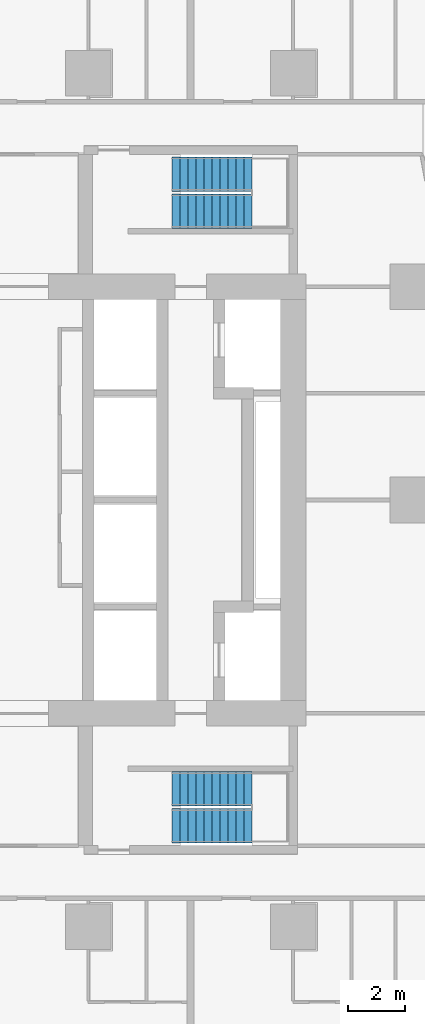
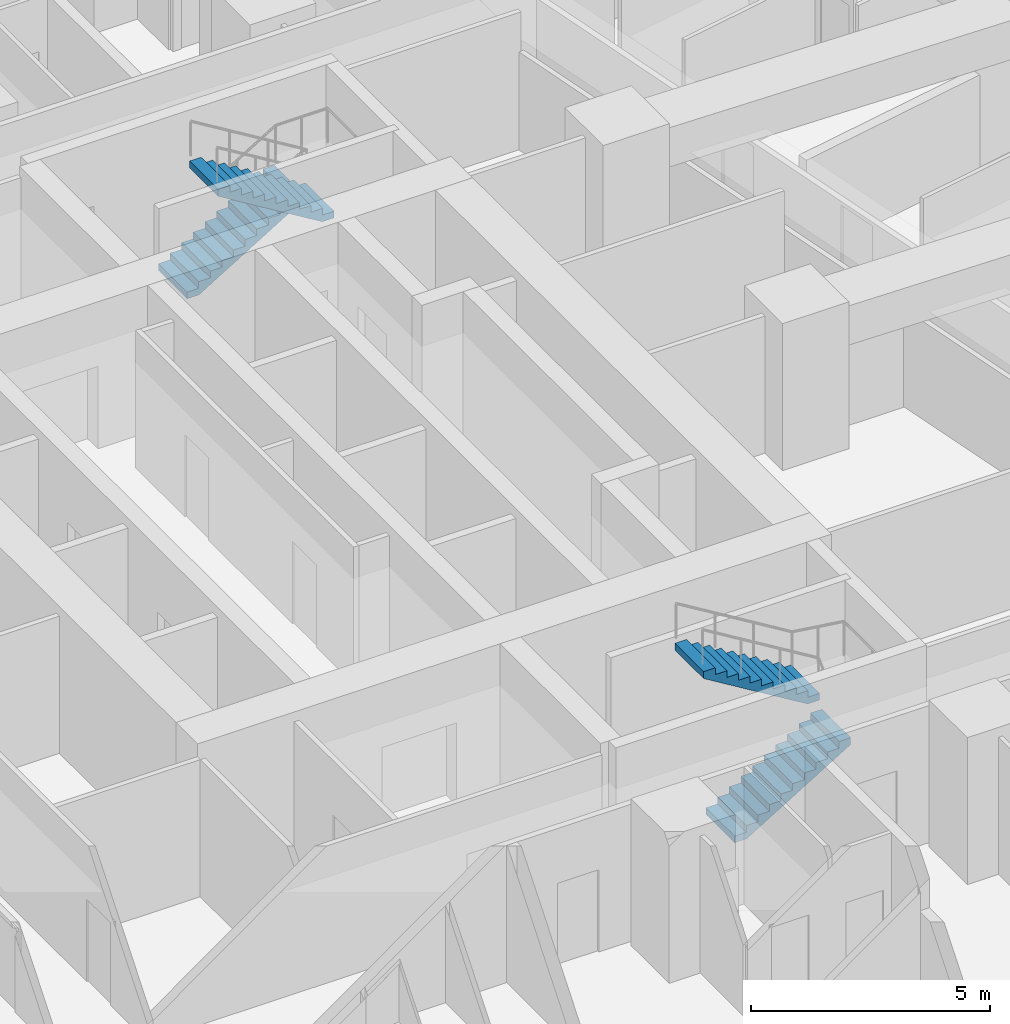
# One storey, part 13 of 16: 4 stair flights, 2 elements without a shape of their own.
"""IFC4 building model written with IfcOpenShell, lengths in metres."""

from ifc_helpers import new_model, si_unit, direction, frame, origin, place, context, subcontext, project, spatial, triangles, material, type_object, element, aggregate, save


model = new_model("IFC4")

# Units and contexts
model_context = context("Model", 3, precision=1e-05, world=origin(), true_north=direction((0.0, 1.0)))
body_context = subcontext(model_context, "Body", "Model", "MODEL_VIEW")
ifc_project = project(units=[si_unit("LENGTHUNIT", "METRE"), si_unit("AREAUNIT", "SQUARE_METRE"), si_unit("VOLUMEUNIT", "CUBIC_METRE"), si_unit("PLANEANGLEUNIT", "RADIAN"), si_unit("MASSUNIT", "GRAM", prefix="KILO")], contexts=[model_context])

# Site, building, storey
site_placement = place(None, origin())
site = spatial("IfcSite", under=ifc_project, at=site_placement, CompositionType="ELEMENT")
building_placement = place(site_placement, origin())
building = spatial("IfcBuilding", under=site, at=building_placement, Name="Sheger Commons Tower", CompositionType="ELEMENT")
storey_placement = place(building_placement, frame((0.0, 0.0, 96.64990234375)))
storey = spatial("IfcBuildingStorey", under=building, at=storey_placement, Name="L24", CompositionType="ELEMENT", Elevation=96.64990234375)

# Stair, stair flights
ifc_material_1 = material(Name="Concrete C35/45", Category="concrete")
stair_type = type_object("IfcStairType", Name="HALF-TURN STAIR 1200 RISE 3750", PredefinedType="HALF_TURN_STAIR", material=ifc_material_1)
stair_1_placement = place(storey_placement, origin())
stair_1 = element("IfcStair", 1, at=stair_1_placement, inside=storey, type_object=stair_type, Name="Stair S1 L24", PredefinedType="HALF_TURN_STAIR")
ifc_material_2 = material(Name="Concrete C35/45", Category="concrete")
stair_flight_type = type_object("IfcStairFlightType", Name="STAIR FLIGHT 1200 11 RISERS OF 170", PredefinedType="STRAIGHT", material=ifc_material_2)
stair_flight_1_placement = place(storey_placement, frame((24.550048828125, 11.050048828125, 0.0), z_axis=(0.0, 0.0, 1.0), x_axis=(1.0, 0.0, 0.0)))
stair_flight_1 = element("IfcStairFlight", 2, at=stair_flight_1_placement, type_object=stair_flight_type, Name="S1 flight 1", NumberOfRisers=11, NumberOfTreads=10, PredefinedType="STRAIGHT", RiserHeight=0.170454545, TreadLength=0.28, context=body_context, shape_type="Tessellation", body=[
    triangles([(0.0, 0.5999755859375, 0.0), (0.0, 0.5999755859375, 0.17041015625), (0.280029296875, 0.5999755859375, 0.17041015625), (0.280029296875, 0.5999755859375, 0.3408203125), (0.56005859375, 0.5999755859375, 0.3408203125), (0.56005859375, 0.5999755859375, 0.511474609375), (0.840087890625, 0.5999755859375, 0.511474609375), (0.840087890625, 0.5999755859375, 0.681884765625), (1.1201171875, 0.5999755859375, 0.681884765625), (1.1201171875, 0.5999755859375, 0.852294921875), (1.39990234375, 0.5999755859375, 0.852294921875), (1.39990234375, 0.5999755859375, 1.022705078125), (1.679931640625, 0.5999755859375, 1.022705078125), (1.679931640625, 0.5999755859375, 1.193115234375), (1.9599609375, 0.5999755859375, 1.193115234375), (1.9599609375, 0.5999755859375, 1.363525390625), (2.239990234375, 0.5999755859375, 1.363525390625), (2.239990234375, 0.5999755859375, 1.5341796875), (2.52001953125, 0.5999755859375, 1.5341796875), (2.52001953125, 0.5999755859375, 1.70458984375), (2.800048828125, 0.5999755859375, 1.70458984375), (2.800048828125, 0.5999755859375, 1.529052734375), (0.288330078125, 0.5999755859375, 0.0), (0.0, -0.5999755859375, 0.0), (0.0, -0.5999755859375, 0.17041015625), (0.280029296875, -0.5999755859375, 0.17041015625), (0.280029296875, -0.5999755859375, 0.3408203125), (0.56005859375, -0.5999755859375, 0.3408203125), (0.56005859375, -0.5999755859375, 0.511474609375), (0.840087890625, -0.5999755859375, 0.511474609375), (0.840087890625, -0.5999755859375, 0.681884765625), (1.1201171875, -0.5999755859375, 0.681884765625), (1.1201171875, -0.5999755859375, 0.852294921875), (1.39990234375, -0.5999755859375, 0.852294921875), (1.39990234375, -0.5999755859375, 1.022705078125), (1.679931640625, -0.5999755859375, 1.022705078125), (1.679931640625, -0.5999755859375, 1.193115234375), (1.9599609375, -0.5999755859375, 1.193115234375), (1.9599609375, -0.5999755859375, 1.363525390625), (2.239990234375, -0.5999755859375, 1.363525390625), (2.239990234375, -0.5999755859375, 1.5341796875), (2.52001953125, -0.5999755859375, 1.5341796875), (2.52001953125, -0.5999755859375, 1.70458984375), (2.800048828125, -0.5999755859375, 1.70458984375), (2.800048828125, -0.5999755859375, 1.529052734375), (0.288330078125, -0.5999755859375, 0.0), (0.0, 0.0, 0.085205078125), (0.1400146484375, 0.0, 0.17041015625), (0.280029296875, 0.0, 0.255615234375), (0.4200439453125, 0.0, 0.3408203125), (0.56005859375, 0.0, 0.4261474609375), (0.7000732421875, 0.0, 0.511474609375), (0.840087890625, 0.0, 0.5966796875), (0.9801025390625, 0.0, 0.681884765625), (1.1201171875, 0.0, 0.76708984375), (1.260009765625, 0.0, 0.852294921875), (1.39990234375, 0.0, 0.9375), (1.5399169921875, 0.0, 1.022705078125), (1.679931640625, 0.0, 1.10791015625), (1.8199462890625, 0.0, 1.193115234375), (1.9599609375, 0.0, 1.2783203125), (2.0999755859375, 0.0, 1.363525390625), (2.239990234375, 0.0, 1.4488525390625), (2.3800048828125, 0.0, 1.5341796875), (2.52001953125, 0.0, 1.619384765625), (2.6600341796875, 0.0, 1.70458984375), (2.800048828125, 0.0, 1.6168212890625), (1.544189453125, 0.0, 0.7645263671875), (0.1441650390625, 0.0, 0.0)], [[1, 22, 23], [24, 46, 45], [22, 20, 21], [45, 44, 43], [22, 19, 20], [45, 43, 42], [22, 18, 19], [45, 42, 41], [22, 17, 18], [45, 41, 40], [17, 15, 16], [40, 39, 38], [22, 15, 17], [45, 40, 38], [15, 13, 14], [38, 37, 36], [22, 13, 15], [45, 38, 36], [13, 11, 12], [36, 35, 34], [22, 11, 13], [45, 36, 34], [11, 9, 10], [34, 33, 32], [22, 9, 11], [45, 34, 32], [9, 7, 8], [32, 31, 30], [22, 7, 9], [45, 32, 30], [7, 5, 6], [30, 29, 28], [22, 5, 7], [45, 30, 28], [5, 3, 4], [28, 27, 26], [22, 3, 5], [45, 28, 26], [1, 3, 22], [24, 45, 26], [3, 1, 2], [26, 25, 24], [1, 47, 2], [2, 47, 25], [25, 47, 24], [24, 47, 1], [2, 48, 3], [3, 48, 26], [26, 48, 25], [25, 48, 2], [3, 49, 4], [4, 49, 27], [27, 49, 26], [26, 49, 3], [4, 50, 5], [5, 50, 28], [28, 50, 27], [27, 50, 4], [5, 51, 6], [6, 51, 29], [29, 51, 28], [28, 51, 5], [6, 52, 7], [7, 52, 30], [30, 52, 29], [29, 52, 6], [7, 53, 8], [8, 53, 31], [31, 53, 30], [30, 53, 7], [8, 54, 9], [9, 54, 32], [32, 54, 31], [31, 54, 8], [9, 55, 10], [10, 55, 33], [33, 55, 32], [32, 55, 9], [10, 56, 11], [11, 56, 34], [34, 56, 33], [33, 56, 10], [11, 57, 12], [12, 57, 35], [35, 57, 34], [34, 57, 11], [12, 58, 13], [13, 58, 36], [36, 58, 35], [35, 58, 12], [13, 59, 14], [14, 59, 37], [37, 59, 36], [36, 59, 13], [14, 60, 15], [15, 60, 38], [38, 60, 37], [37, 60, 14], [15, 61, 16], [16, 61, 39], [39, 61, 38], [38, 61, 15], [16, 62, 17], [17, 62, 40], [40, 62, 39], [39, 62, 16], [17, 63, 18], [18, 63, 41], [41, 63, 40], [40, 63, 17], [18, 64, 19], [19, 64, 42], [42, 64, 41], [41, 64, 18], [19, 65, 20], [20, 65, 43], [43, 65, 42], [42, 65, 19], [20, 66, 21], [21, 66, 44], [44, 66, 43], [43, 66, 20], [21, 67, 22], [22, 67, 45], [45, 67, 44], [44, 67, 21], [22, 68, 23], [23, 68, 46], [46, 68, 45], [45, 68, 22], [23, 69, 1], [1, 69, 24], [24, 69, 46], [46, 69, 23]], closed=True),
])
stair_flight_2_placement = place(storey_placement, frame((27.35009765625, 12.35009765625, 1.875), z_axis=(0.0, 0.0, 1.0), x_axis=(-1.0, 0.0, 0.0)))
stair_flight_2 = element("IfcStairFlight", 3, at=stair_flight_2_placement, type_object=stair_flight_type, Name="S1 flight 2", NumberOfRisers=11, NumberOfTreads=10, PredefinedType="STRAIGHT", RiserHeight=0.170454545, TreadLength=0.28, context=body_context, shape_type="Tessellation", body=[
    triangles([(0.0, 0.5999755859375, 0.0), (0.0, 0.5999755859375, 0.17041015625), (0.280029296875, 0.5999755859375, 0.17041015625), (0.280029296875, 0.5999755859375, 0.3408203125), (0.56005859375, 0.5999755859375, 0.3408203125), (0.56005859375, 0.5999755859375, 0.511474609375), (0.840087890625, 0.5999755859375, 0.511474609375), (0.840087890625, 0.5999755859375, 0.681884765625), (1.1201171875, 0.5999755859375, 0.681884765625), (1.1201171875, 0.5999755859375, 0.852294921875), (1.39990234375, 0.5999755859375, 0.852294921875), (1.39990234375, 0.5999755859375, 1.022705078125), (1.679931640625, 0.5999755859375, 1.022705078125), (1.679931640625, 0.5999755859375, 1.193115234375), (1.9599609375, 0.5999755859375, 1.193115234375), (1.9599609375, 0.5999755859375, 1.363525390625), (2.239990234375, 0.5999755859375, 1.363525390625), (2.239990234375, 0.5999755859375, 1.5341796875), (2.52001953125, 0.5999755859375, 1.5341796875), (2.52001953125, 0.5999755859375, 1.70458984375), (2.800048828125, 0.5999755859375, 1.70458984375), (2.800048828125, 0.5999755859375, 1.529052734375), (0.288330078125, 0.5999755859375, 0.0), (0.0, -0.5999755859375, 0.0), (0.0, -0.5999755859375, 0.17041015625), (0.280029296875, -0.5999755859375, 0.17041015625), (0.280029296875, -0.5999755859375, 0.3408203125), (0.56005859375, -0.5999755859375, 0.3408203125), (0.56005859375, -0.5999755859375, 0.511474609375), (0.840087890625, -0.5999755859375, 0.511474609375), (0.840087890625, -0.5999755859375, 0.681884765625), (1.1201171875, -0.5999755859375, 0.681884765625), (1.1201171875, -0.5999755859375, 0.852294921875), (1.39990234375, -0.5999755859375, 0.852294921875), (1.39990234375, -0.5999755859375, 1.022705078125), (1.679931640625, -0.5999755859375, 1.022705078125), (1.679931640625, -0.5999755859375, 1.193115234375), (1.9599609375, -0.5999755859375, 1.193115234375), (1.9599609375, -0.5999755859375, 1.363525390625), (2.239990234375, -0.5999755859375, 1.363525390625), (2.239990234375, -0.5999755859375, 1.5341796875), (2.52001953125, -0.5999755859375, 1.5341796875), (2.52001953125, -0.5999755859375, 1.70458984375), (2.800048828125, -0.5999755859375, 1.70458984375), (2.800048828125, -0.5999755859375, 1.529052734375), (0.288330078125, -0.5999755859375, 0.0), (0.0, 0.0, 0.085205078125), (0.1400146484375, 0.0, 0.17041015625), (0.280029296875, 0.0, 0.255615234375), (0.4200439453125, 0.0, 0.3408203125), (0.56005859375, 0.0, 0.4261474609375), (0.7000732421875, 0.0, 0.511474609375), (0.840087890625, 0.0, 0.5966796875), (0.9801025390625, 0.0, 0.681884765625), (1.1201171875, 0.0, 0.76708984375), (1.260009765625, 0.0, 0.852294921875), (1.39990234375, 0.0, 0.9375), (1.5399169921875, 0.0, 1.022705078125), (1.679931640625, 0.0, 1.10791015625), (1.8199462890625, 0.0, 1.193115234375), (1.9599609375, 0.0, 1.2783203125), (2.0999755859375, 0.0, 1.363525390625), (2.239990234375, 0.0, 1.4488525390625), (2.3800048828125, 0.0, 1.5341796875), (2.52001953125, 0.0, 1.619384765625), (2.6600341796875, 0.0, 1.70458984375), (2.800048828125, 0.0, 1.6168212890625), (1.544189453125, 0.0, 0.7645263671875), (0.1441650390625, 0.0, 0.0)], [[1, 22, 23], [24, 46, 45], [22, 20, 21], [45, 44, 43], [22, 19, 20], [45, 43, 42], [22, 18, 19], [45, 42, 41], [22, 17, 18], [45, 41, 40], [17, 15, 16], [40, 39, 38], [22, 15, 17], [45, 40, 38], [15, 13, 14], [38, 37, 36], [22, 13, 15], [45, 38, 36], [13, 11, 12], [36, 35, 34], [22, 11, 13], [45, 36, 34], [11, 9, 10], [34, 33, 32], [22, 9, 11], [45, 34, 32], [9, 7, 8], [32, 31, 30], [22, 7, 9], [45, 32, 30], [7, 5, 6], [30, 29, 28], [22, 5, 7], [45, 30, 28], [5, 3, 4], [28, 27, 26], [22, 3, 5], [45, 28, 26], [1, 3, 22], [24, 45, 26], [3, 1, 2], [26, 25, 24], [1, 47, 2], [2, 47, 25], [25, 47, 24], [24, 47, 1], [2, 48, 3], [3, 48, 26], [26, 48, 25], [25, 48, 2], [3, 49, 4], [4, 49, 27], [27, 49, 26], [26, 49, 3], [4, 50, 5], [5, 50, 28], [28, 50, 27], [27, 50, 4], [5, 51, 6], [6, 51, 29], [29, 51, 28], [28, 51, 5], [6, 52, 7], [7, 52, 30], [30, 52, 29], [29, 52, 6], [7, 53, 8], [8, 53, 31], [31, 53, 30], [30, 53, 7], [8, 54, 9], [9, 54, 32], [32, 54, 31], [31, 54, 8], [9, 55, 10], [10, 55, 33], [33, 55, 32], [32, 55, 9], [10, 56, 11], [11, 56, 34], [34, 56, 33], [33, 56, 10], [11, 57, 12], [12, 57, 35], [35, 57, 34], [34, 57, 11], [12, 58, 13], [13, 58, 36], [36, 58, 35], [35, 58, 12], [13, 59, 14], [14, 59, 37], [37, 59, 36], [36, 59, 13], [14, 60, 15], [15, 60, 38], [38, 60, 37], [37, 60, 14], [15, 61, 16], [16, 61, 39], [39, 61, 38], [38, 61, 15], [16, 62, 17], [17, 62, 40], [40, 62, 39], [39, 62, 16], [17, 63, 18], [18, 63, 41], [41, 63, 40], [40, 63, 17], [18, 64, 19], [19, 64, 42], [42, 64, 41], [41, 64, 18], [19, 65, 20], [20, 65, 43], [43, 65, 42], [42, 65, 19], [20, 66, 21], [21, 66, 44], [44, 66, 43], [43, 66, 20], [21, 67, 22], [22, 67, 45], [45, 67, 44], [44, 67, 21], [22, 68, 23], [23, 68, 46], [46, 68, 45], [45, 68, 22], [23, 69, 1], [1, 69, 24], [24, 69, 46], [46, 69, 23]], closed=True),
])
aggregate(stair_1, [stair_flight_1, stair_flight_2])

stair_2_placement = place(storey_placement, origin())
stair_2 = element("IfcStair", 4, at=stair_2_placement, inside=storey, type_object=stair_type, Name="Stair S2 L24", PredefinedType="HALF_TURN_STAIR")
stair_flight_3_placement = place(storey_placement, frame((24.550048828125, 33.949951171875, 0.0), z_axis=(0.0, 0.0, 1.0), x_axis=(1.0, 0.0, 0.0)))
stair_flight_3 = element("IfcStairFlight", 5, at=stair_flight_3_placement, type_object=stair_flight_type, Name="S2 flight 1", NumberOfRisers=11, NumberOfTreads=10, PredefinedType="STRAIGHT", RiserHeight=0.170454545, TreadLength=0.28, context=body_context, shape_type="Tessellation", body=[
    triangles([(0.0, 0.5999755859375, 0.0), (0.0, 0.5999755859375, 0.17041015625), (0.280029296875, 0.5999755859375, 0.17041015625), (0.280029296875, 0.5999755859375, 0.3408203125), (0.56005859375, 0.5999755859375, 0.3408203125), (0.56005859375, 0.5999755859375, 0.511474609375), (0.840087890625, 0.5999755859375, 0.511474609375), (0.840087890625, 0.5999755859375, 0.681884765625), (1.1201171875, 0.5999755859375, 0.681884765625), (1.1201171875, 0.5999755859375, 0.852294921875), (1.39990234375, 0.5999755859375, 0.852294921875), (1.39990234375, 0.5999755859375, 1.022705078125), (1.679931640625, 0.5999755859375, 1.022705078125), (1.679931640625, 0.5999755859375, 1.193115234375), (1.9599609375, 0.5999755859375, 1.193115234375), (1.9599609375, 0.5999755859375, 1.363525390625), (2.239990234375, 0.5999755859375, 1.363525390625), (2.239990234375, 0.5999755859375, 1.5341796875), (2.52001953125, 0.5999755859375, 1.5341796875), (2.52001953125, 0.5999755859375, 1.70458984375), (2.800048828125, 0.5999755859375, 1.70458984375), (2.800048828125, 0.5999755859375, 1.529052734375), (0.288330078125, 0.5999755859375, 0.0), (0.0, -0.5999755859375, 0.0), (0.0, -0.5999755859375, 0.17041015625), (0.280029296875, -0.5999755859375, 0.17041015625), (0.280029296875, -0.5999755859375, 0.3408203125), (0.56005859375, -0.5999755859375, 0.3408203125), (0.56005859375, -0.5999755859375, 0.511474609375), (0.840087890625, -0.5999755859375, 0.511474609375), (0.840087890625, -0.5999755859375, 0.681884765625), (1.1201171875, -0.5999755859375, 0.681884765625), (1.1201171875, -0.5999755859375, 0.852294921875), (1.39990234375, -0.5999755859375, 0.852294921875), (1.39990234375, -0.5999755859375, 1.022705078125), (1.679931640625, -0.5999755859375, 1.022705078125), (1.679931640625, -0.5999755859375, 1.193115234375), (1.9599609375, -0.5999755859375, 1.193115234375), (1.9599609375, -0.5999755859375, 1.363525390625), (2.239990234375, -0.5999755859375, 1.363525390625), (2.239990234375, -0.5999755859375, 1.5341796875), (2.52001953125, -0.5999755859375, 1.5341796875), (2.52001953125, -0.5999755859375, 1.70458984375), (2.800048828125, -0.5999755859375, 1.70458984375), (2.800048828125, -0.5999755859375, 1.529052734375), (0.288330078125, -0.5999755859375, 0.0), (0.0, 0.0, 0.085205078125), (0.1400146484375, 0.0, 0.17041015625), (0.280029296875, 0.0, 0.255615234375), (0.4200439453125, 0.0, 0.3408203125), (0.56005859375, 0.0, 0.4261474609375), (0.7000732421875, 0.0, 0.511474609375), (0.840087890625, 0.0, 0.5966796875), (0.9801025390625, 0.0, 0.681884765625), (1.1201171875, 0.0, 0.76708984375), (1.260009765625, 0.0, 0.852294921875), (1.39990234375, 0.0, 0.9375), (1.5399169921875, 0.0, 1.022705078125), (1.679931640625, 0.0, 1.10791015625), (1.8199462890625, 0.0, 1.193115234375), (1.9599609375, 0.0, 1.2783203125), (2.0999755859375, 0.0, 1.363525390625), (2.239990234375, 0.0, 1.4488525390625), (2.3800048828125, 0.0, 1.5341796875), (2.52001953125, 0.0, 1.619384765625), (2.6600341796875, 0.0, 1.70458984375), (2.800048828125, 0.0, 1.6168212890625), (1.544189453125, 0.0, 0.7645263671875), (0.1441650390625, 0.0, 0.0)], [[1, 22, 23], [24, 46, 45], [22, 20, 21], [45, 44, 43], [22, 19, 20], [45, 43, 42], [22, 18, 19], [45, 42, 41], [22, 17, 18], [45, 41, 40], [17, 15, 16], [40, 39, 38], [22, 15, 17], [45, 40, 38], [15, 13, 14], [38, 37, 36], [22, 13, 15], [45, 38, 36], [13, 11, 12], [36, 35, 34], [22, 11, 13], [45, 36, 34], [11, 9, 10], [34, 33, 32], [22, 9, 11], [45, 34, 32], [9, 7, 8], [32, 31, 30], [22, 7, 9], [45, 32, 30], [7, 5, 6], [30, 29, 28], [22, 5, 7], [45, 30, 28], [5, 3, 4], [28, 27, 26], [22, 3, 5], [45, 28, 26], [1, 3, 22], [24, 45, 26], [3, 1, 2], [26, 25, 24], [1, 47, 2], [2, 47, 25], [25, 47, 24], [24, 47, 1], [2, 48, 3], [3, 48, 26], [26, 48, 25], [25, 48, 2], [3, 49, 4], [4, 49, 27], [27, 49, 26], [26, 49, 3], [4, 50, 5], [5, 50, 28], [28, 50, 27], [27, 50, 4], [5, 51, 6], [6, 51, 29], [29, 51, 28], [28, 51, 5], [6, 52, 7], [7, 52, 30], [30, 52, 29], [29, 52, 6], [7, 53, 8], [8, 53, 31], [31, 53, 30], [30, 53, 7], [8, 54, 9], [9, 54, 32], [32, 54, 31], [31, 54, 8], [9, 55, 10], [10, 55, 33], [33, 55, 32], [32, 55, 9], [10, 56, 11], [11, 56, 34], [34, 56, 33], [33, 56, 10], [11, 57, 12], [12, 57, 35], [35, 57, 34], [34, 57, 11], [12, 58, 13], [13, 58, 36], [36, 58, 35], [35, 58, 12], [13, 59, 14], [14, 59, 37], [37, 59, 36], [36, 59, 13], [14, 60, 15], [15, 60, 38], [38, 60, 37], [37, 60, 14], [15, 61, 16], [16, 61, 39], [39, 61, 38], [38, 61, 15], [16, 62, 17], [17, 62, 40], [40, 62, 39], [39, 62, 16], [17, 63, 18], [18, 63, 41], [41, 63, 40], [40, 63, 17], [18, 64, 19], [19, 64, 42], [42, 64, 41], [41, 64, 18], [19, 65, 20], [20, 65, 43], [43, 65, 42], [42, 65, 19], [20, 66, 21], [21, 66, 44], [44, 66, 43], [43, 66, 20], [21, 67, 22], [22, 67, 45], [45, 67, 44], [44, 67, 21], [22, 68, 23], [23, 68, 46], [46, 68, 45], [45, 68, 22], [23, 69, 1], [1, 69, 24], [24, 69, 46], [46, 69, 23]], closed=True),
])
stair_flight_4_placement = place(storey_placement, frame((27.35009765625, 32.64990234375, 1.875), z_axis=(0.0, 0.0, 1.0), x_axis=(-1.0, 0.0, 0.0)))
stair_flight_4 = element("IfcStairFlight", 6, at=stair_flight_4_placement, type_object=stair_flight_type, Name="S2 flight 2", NumberOfRisers=11, NumberOfTreads=10, PredefinedType="STRAIGHT", RiserHeight=0.170454545, TreadLength=0.28, context=body_context, shape_type="Tessellation", body=[
    triangles([(0.0, 0.5999755859375, 0.0), (0.0, 0.5999755859375, 0.17041015625), (0.280029296875, 0.5999755859375, 0.17041015625), (0.280029296875, 0.5999755859375, 0.3408203125), (0.56005859375, 0.5999755859375, 0.3408203125), (0.56005859375, 0.5999755859375, 0.511474609375), (0.840087890625, 0.5999755859375, 0.511474609375), (0.840087890625, 0.5999755859375, 0.681884765625), (1.1201171875, 0.5999755859375, 0.681884765625), (1.1201171875, 0.5999755859375, 0.852294921875), (1.39990234375, 0.5999755859375, 0.852294921875), (1.39990234375, 0.5999755859375, 1.022705078125), (1.679931640625, 0.5999755859375, 1.022705078125), (1.679931640625, 0.5999755859375, 1.193115234375), (1.9599609375, 0.5999755859375, 1.193115234375), (1.9599609375, 0.5999755859375, 1.363525390625), (2.239990234375, 0.5999755859375, 1.363525390625), (2.239990234375, 0.5999755859375, 1.5341796875), (2.52001953125, 0.5999755859375, 1.5341796875), (2.52001953125, 0.5999755859375, 1.70458984375), (2.800048828125, 0.5999755859375, 1.70458984375), (2.800048828125, 0.5999755859375, 1.529052734375), (0.288330078125, 0.5999755859375, 0.0), (0.0, -0.5999755859375, 0.0), (0.0, -0.5999755859375, 0.17041015625), (0.280029296875, -0.5999755859375, 0.17041015625), (0.280029296875, -0.5999755859375, 0.3408203125), (0.56005859375, -0.5999755859375, 0.3408203125), (0.56005859375, -0.5999755859375, 0.511474609375), (0.840087890625, -0.5999755859375, 0.511474609375), (0.840087890625, -0.5999755859375, 0.681884765625), (1.1201171875, -0.5999755859375, 0.681884765625), (1.1201171875, -0.5999755859375, 0.852294921875), (1.39990234375, -0.5999755859375, 0.852294921875), (1.39990234375, -0.5999755859375, 1.022705078125), (1.679931640625, -0.5999755859375, 1.022705078125), (1.679931640625, -0.5999755859375, 1.193115234375), (1.9599609375, -0.5999755859375, 1.193115234375), (1.9599609375, -0.5999755859375, 1.363525390625), (2.239990234375, -0.5999755859375, 1.363525390625), (2.239990234375, -0.5999755859375, 1.5341796875), (2.52001953125, -0.5999755859375, 1.5341796875), (2.52001953125, -0.5999755859375, 1.70458984375), (2.800048828125, -0.5999755859375, 1.70458984375), (2.800048828125, -0.5999755859375, 1.529052734375), (0.288330078125, -0.5999755859375, 0.0), (0.0, 0.0, 0.085205078125), (0.1400146484375, 0.0, 0.17041015625), (0.280029296875, 0.0, 0.255615234375), (0.4200439453125, 0.0, 0.3408203125), (0.56005859375, 0.0, 0.4261474609375), (0.7000732421875, 0.0, 0.511474609375), (0.840087890625, 0.0, 0.5966796875), (0.9801025390625, 0.0, 0.681884765625), (1.1201171875, 0.0, 0.76708984375), (1.260009765625, 0.0, 0.852294921875), (1.39990234375, 0.0, 0.9375), (1.5399169921875, 0.0, 1.022705078125), (1.679931640625, 0.0, 1.10791015625), (1.8199462890625, 0.0, 1.193115234375), (1.9599609375, 0.0, 1.2783203125), (2.0999755859375, 0.0, 1.363525390625), (2.239990234375, 0.0, 1.4488525390625), (2.3800048828125, 0.0, 1.5341796875), (2.52001953125, 0.0, 1.619384765625), (2.6600341796875, 0.0, 1.70458984375), (2.800048828125, 0.0, 1.6168212890625), (1.544189453125, 0.0, 0.7645263671875), (0.1441650390625, 0.0, 0.0)], [[1, 22, 23], [24, 46, 45], [22, 20, 21], [45, 44, 43], [22, 19, 20], [45, 43, 42], [22, 18, 19], [45, 42, 41], [22, 17, 18], [45, 41, 40], [17, 15, 16], [40, 39, 38], [22, 15, 17], [45, 40, 38], [15, 13, 14], [38, 37, 36], [22, 13, 15], [45, 38, 36], [13, 11, 12], [36, 35, 34], [22, 11, 13], [45, 36, 34], [11, 9, 10], [34, 33, 32], [22, 9, 11], [45, 34, 32], [9, 7, 8], [32, 31, 30], [22, 7, 9], [45, 32, 30], [7, 5, 6], [30, 29, 28], [22, 5, 7], [45, 30, 28], [5, 3, 4], [28, 27, 26], [22, 3, 5], [45, 28, 26], [1, 3, 22], [24, 45, 26], [3, 1, 2], [26, 25, 24], [1, 47, 2], [2, 47, 25], [25, 47, 24], [24, 47, 1], [2, 48, 3], [3, 48, 26], [26, 48, 25], [25, 48, 2], [3, 49, 4], [4, 49, 27], [27, 49, 26], [26, 49, 3], [4, 50, 5], [5, 50, 28], [28, 50, 27], [27, 50, 4], [5, 51, 6], [6, 51, 29], [29, 51, 28], [28, 51, 5], [6, 52, 7], [7, 52, 30], [30, 52, 29], [29, 52, 6], [7, 53, 8], [8, 53, 31], [31, 53, 30], [30, 53, 7], [8, 54, 9], [9, 54, 32], [32, 54, 31], [31, 54, 8], [9, 55, 10], [10, 55, 33], [33, 55, 32], [32, 55, 9], [10, 56, 11], [11, 56, 34], [34, 56, 33], [33, 56, 10], [11, 57, 12], [12, 57, 35], [35, 57, 34], [34, 57, 11], [12, 58, 13], [13, 58, 36], [36, 58, 35], [35, 58, 12], [13, 59, 14], [14, 59, 37], [37, 59, 36], [36, 59, 13], [14, 60, 15], [15, 60, 38], [38, 60, 37], [37, 60, 14], [15, 61, 16], [16, 61, 39], [39, 61, 38], [38, 61, 15], [16, 62, 17], [17, 62, 40], [40, 62, 39], [39, 62, 16], [17, 63, 18], [18, 63, 41], [41, 63, 40], [40, 63, 17], [18, 64, 19], [19, 64, 42], [42, 64, 41], [41, 64, 18], [19, 65, 20], [20, 65, 43], [43, 65, 42], [42, 65, 19], [20, 66, 21], [21, 66, 44], [44, 66, 43], [43, 66, 20], [21, 67, 22], [22, 67, 45], [45, 67, 44], [44, 67, 21], [22, 68, 23], [23, 68, 46], [46, 68, 45], [45, 68, 22], [23, 69, 1], [1, 69, 24], [24, 69, 46], [46, 69, 23]], closed=True),
])
aggregate(stair_2, [stair_flight_3, stair_flight_4])

save(model, "model.ifc")
